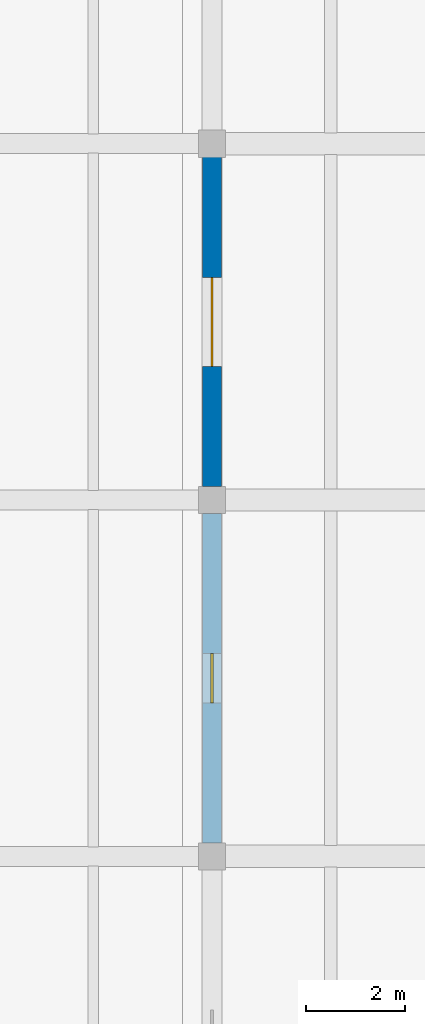
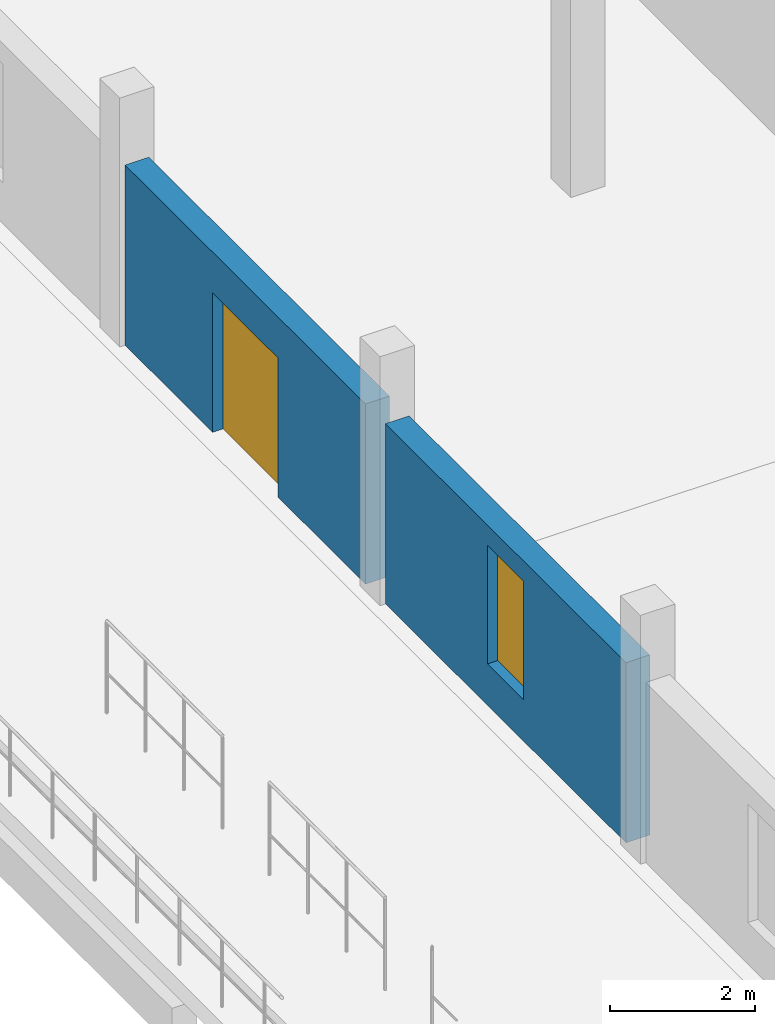
# One storey, part 50 of 63: 2 walls, 1 door, 1 window, 2 openings.
"""IFC4 building model written with IfcOpenShell, lengths in metres."""

from ifc_helpers import new_model, si_unit, direction, frame, frame_2d, origin, place, context, subcontext, project, spatial, rectangle, extrude, material, layer, layer_set, type_object, element, fill, save


model = new_model("IFC4")

# Units and contexts
model_context = context("Model", 3, precision=1e-05, world=origin(), true_north=direction((0.0, 1.0)))
body_context = subcontext(model_context, "Body", "Model", "MODEL_VIEW")
ifc_project = project(units=[si_unit("LENGTHUNIT", "METRE"), si_unit("AREAUNIT", "SQUARE_METRE"), si_unit("VOLUMEUNIT", "CUBIC_METRE"), si_unit("PLANEANGLEUNIT", "RADIAN"), si_unit("MASSUNIT", "GRAM", prefix="KILO")], contexts=[model_context])

# Site, building, storey
site_placement = place(None, origin())
site = spatial("IfcSite", under=ifc_project, at=site_placement, CompositionType="ELEMENT")
building_placement = place(site_placement, origin())
building = spatial("IfcBuilding", under=site, at=building_placement, Name="Qiaolan Assembly House", CompositionType="ELEMENT")
storey_placement = place(building_placement, frame((0.0, 0.0, 14.39990234375)))
storey = spatial("IfcBuildingStorey", under=building, at=storey_placement, Name="L03", CompositionType="ELEMENT", Elevation=14.39990234375)

# Wall, opening, window
ifc_material_1 = material(Name="Honed pale limestone", Category="masonry")
ifc_layer = layer(ifc_material_1, 0.3798828125)
ifc_layer_set = layer_set([ifc_layer], Name="Honed pale limestone")
wall_type = type_object("IfcWallType", Name="WAL-EXT-LIB-380", PredefinedType="SOLIDWALL", material=ifc_layer_set)
wall_1_placement = place(storey_placement, frame((144.0, 50.673095703125, 0.0), z_axis=(0.0, 0.0, 1.0), x_axis=(0.0, 1.0, 0.0)))
wall_1 = element("IfcWall", 1, at=wall_1_placement, inside=storey, type_object=wall_type, Name="Library West court wall L03-4", PredefinedType="SOLIDWALL", context=body_context, shape_type="SweptSolid", body=[
    extrude(rectangle(XDim=6.65380859375, YDim=0.3798828125, at=frame_2d((3.326904296875, 0.0))), origin(), (0.0, 0.0, 1.0), 3.0400390625),
])
opening_1_placement = place(wall_1_placement, frame((2.826904296875, 0.0, 0.699951171875)))
opening_1 = element("IfcOpeningElement", 2, at=opening_1_placement, cuts=wall_1, Name="Opening WN-496", PredefinedType="OPENING", context=body_context, shape_type="SweptSolid", body=[
    extrude(rectangle(XDim=1.0, YDim=2.0, at=frame_2d((0.5, 1.0))), frame((0.0, 0.199951171875, 0.0), z_axis=(0.0, -1.0, 0.0), x_axis=(1.0, 0.0, 0.0)), (0.0, 0.0, 1.0), 0.39990234375),
])
ifc_material_2 = material(Name="Low-E double insulating glass", Category="glass")
window_type = type_object("IfcWindowType", Name="WIN-LIB-ARCH-1000x2000", PartitioningType="SINGLE_PANEL", PredefinedType="WINDOW", material=ifc_material_2)
window_placement = place(opening_1_placement, origin())
window = element("IfcWindow", 3, at=window_placement, inside=storey, type_object=window_type, Name="Library courtyard window WN-496", OverallHeight=2.0, OverallWidth=1.0, PartitioningType="SINGLE_PANEL", PredefinedType="WINDOW", context=body_context, shape_type="SweptSolid", body=[
    extrude(rectangle(XDim=1.0, YDim=2.0, at=frame_2d((0.5, 1.0))), frame((0.0, 0.030029296875, 0.0), z_axis=(0.0, -1.0, 0.0), x_axis=(1.0, 0.0, 0.0)), (0.0, 0.0, 1.0), 0.06005859375),
])
fill(opening_1, window)

# Wall, opening, door
wall_2_placement = place(storey_placement, frame((144.0, 57.873046875, 0.0), z_axis=(0.0, 0.0, 1.0), x_axis=(0.0, 1.0, 0.0)))
wall_2 = element("IfcWall", 4, at=wall_2_placement, inside=storey, type_object=wall_type, Name="Library West court wall L03-5", PredefinedType="SOLIDWALL", context=body_context, shape_type="SweptSolid", body=[
    extrude(rectangle(XDim=6.654052734375, YDim=0.3798828125, at=frame_2d((3.3271484375, 0.0))), origin(), (0.0, 0.0, 1.0), 3.0400390625),
])
opening_2_placement = place(wall_2_placement, frame((2.427001953125, 0.0, 0.0)))
opening_2 = element("IfcOpeningElement", 5, at=opening_2_placement, cuts=wall_2, Name="Opening TD-032", PredefinedType="OPENING", context=body_context, shape_type="SweptSolid", body=[
    extrude(rectangle(XDim=1.800048828125, YDim=2.35009765625, at=frame_2d((0.89990234375, 1.175048828125))), frame((0.0, 0.199951171875, 0.0), z_axis=(0.0, -1.0, 0.0), x_axis=(1.0, 0.0, 0.0)), (0.0, 0.0, 1.0), 0.39990234375),
])
ifc_material_3 = material(Name="Anodised bronze aluminium", Category="aluminium")
door_type = type_object("IfcDoorType", Name="DOR-TERR-GLZ-1800", OperationType="DOUBLE_DOOR_SINGLE_SWING", PredefinedType="DOOR", material=ifc_material_3)
door_placement = place(opening_2_placement, frame((1.800048828125, 0.0, 0.0), z_axis=(0.0, 0.0, 1.0), x_axis=(-1.0, 0.0, 0.0)))
door = element("IfcDoor", 6, at=door_placement, inside=storey, type_object=door_type, Name="L03 Library Roof Garden access door TD-032", OperationType="DOUBLE_DOOR_SINGLE_SWING", OverallHeight=2.35009765625, OverallWidth=1.800048828125, PredefinedType="DOOR", context=body_context, shape_type="SweptSolid", body=[
    extrude(rectangle(XDim=1.800048828125, YDim=2.35009765625, at=frame_2d((0.89990234375, 1.175048828125))), frame((0.0, 0.02490234375, 0.0), z_axis=(0.0, -1.0, 0.0), x_axis=(1.0, 0.0, 0.0)), (0.0, 0.0, 1.0), 0.050048828125),
])
fill(opening_2, door)

save(model, "model.ifc")
